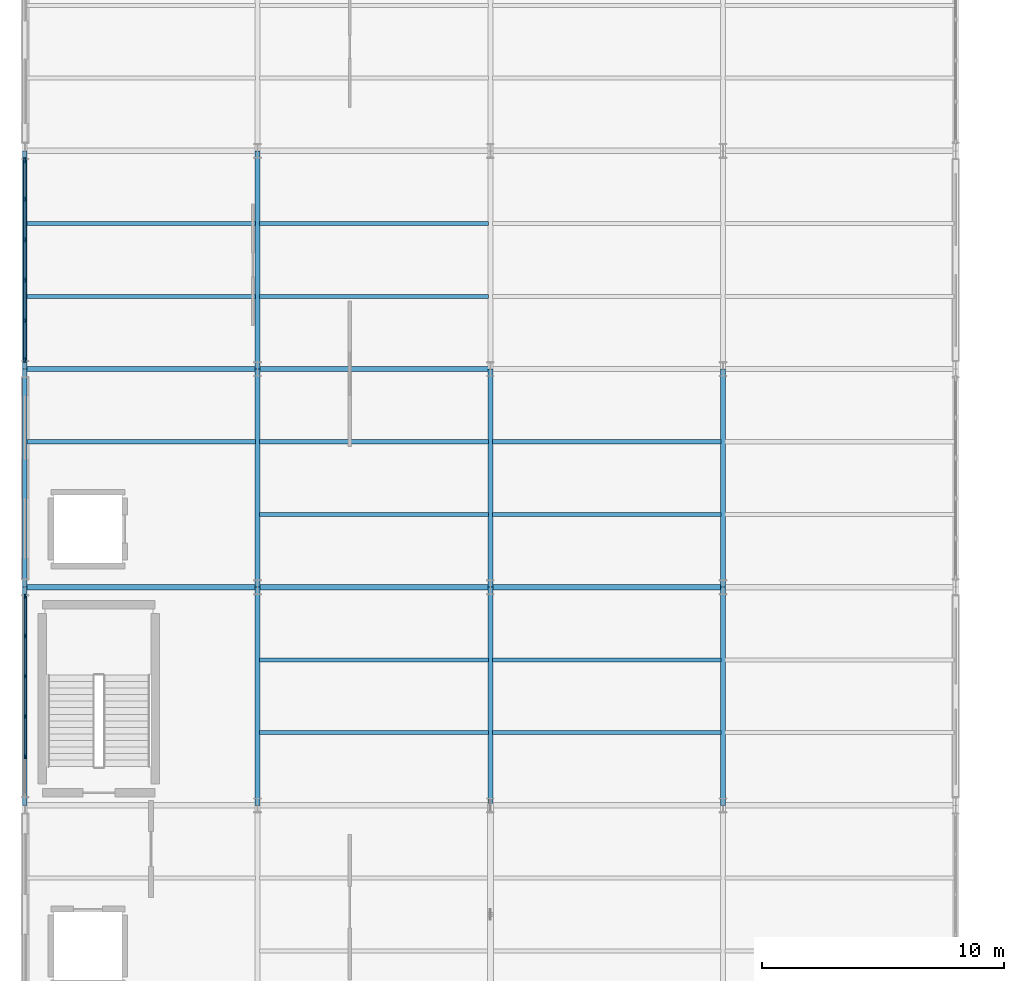
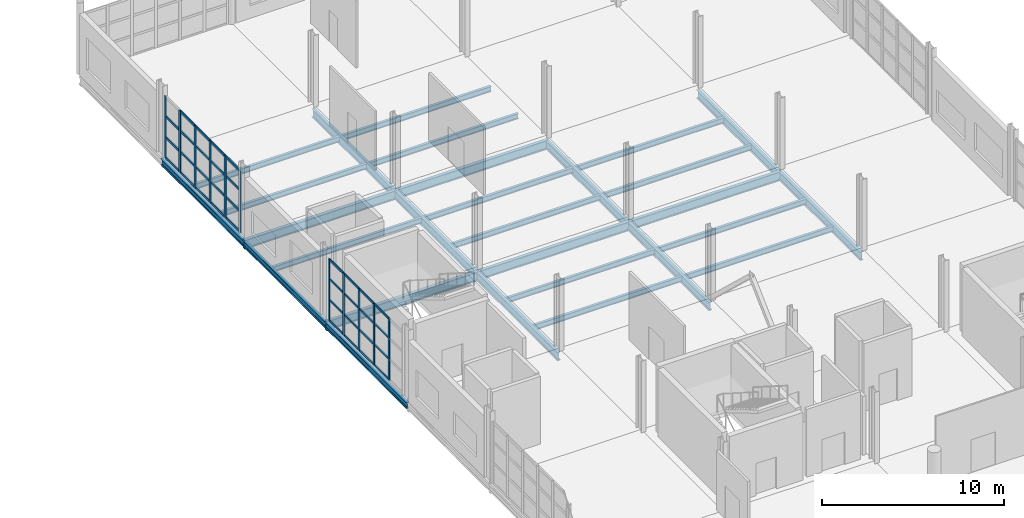
# One storey, part 22 of 120: 46 members, 28 beams, 2 elements without a shape of their own.
"""IFC4 building model written with IfcOpenShell, lengths in metres."""

from ifc_helpers import new_model, si_unit, direction, frame, origin, origin_2d, place, context, subcontext, project, spatial, rectangle, i_section, extrude, material, layer, layer_set, material_profile, profile_set, type_object, element, aggregate, save


model = new_model("IFC4")

# Units and contexts
model_context = context("Model", 3, precision=1e-05, world=origin(), true_north=direction((0.0, 1.0)))
body_context = subcontext(model_context, "Body", "Model", "MODEL_VIEW")
ifc_project = project(units=[si_unit("LENGTHUNIT", "METRE"), si_unit("AREAUNIT", "SQUARE_METRE"), si_unit("VOLUMEUNIT", "CUBIC_METRE"), si_unit("PLANEANGLEUNIT", "RADIAN"), si_unit("MASSUNIT", "GRAM", prefix="KILO")], contexts=[model_context])

# Site, building, storey
site_placement = place(None, origin())
site = spatial("IfcSite", under=ifc_project, at=site_placement, CompositionType="ELEMENT")
building_placement = place(site_placement, origin())
building = spatial("IfcBuilding", under=site, at=building_placement, Name="Zarnetskaya Central Station", CompositionType="ELEMENT")
storey_placement = place(building_placement, frame((0.0, 0.0, 5.39990234375)))
storey = spatial("IfcBuildingStorey", under=building, at=storey_placement, Name="L01", CompositionType="ELEMENT", Elevation=5.39990234375)

# Beams
ifc_material_1 = material(Name="Steel S355", Category="steel")
ifc_material_profile_1 = material_profile(ifc_material_1, i_section(OverallWidth=0.169921875, OverallDepth=0.360107421875, WebThickness=0.008056640625, FlangeThickness=0.0126953125, FilletRadius=0.01806640625, at=origin_2d()), Name="IPE 360")
ifc_profile_set_1 = profile_set([ifc_material_profile_1], Name="Steel S355")
beam_type_1 = type_object("IfcBeamType", Name="BM-SEC-360", PredefinedType="BEAM", material=ifc_profile_set_1)
for number, where, z_axis, x_axis, name in (
    (1, (0.080078125, 46.199951171875, -0.4599609375), (1.0, 0.0, 0.0), (0.0, 1.0, 0.0), "Secondary floor beam SEC-L01-Z512-AB-67-2"),
    (2, (0.080078125, 52.199951171875, -0.4599609375), (1.0, 0.0, 0.0), (0.0, 1.0, 0.0), "Secondary floor beam SEC-L01-Z512-AB-78-1"),
    (3, (0.080078125, 55.199951171875, -0.4599609375), (1.0, 0.0, 0.0), (0.0, 1.0, 0.0), "Secondary floor beam SEC-L01-Z512-AB-78-2"),
):
    element("IfcBeam", number, at=place(storey_placement, frame(where, z_axis=z_axis, x_axis=x_axis)), inside=storey, type_object=beam_type_1, Name=name, PredefinedType="BEAM", context=body_context, shape_type="SweptSolid", body=[
        extrude(i_section(OverallWidth=0.169921875, OverallDepth=0.360107421875, WebThickness=0.008056640625, FlangeThickness=0.0126953125, FilletRadius=0.01806640625, at=origin_2d()), origin(), (0.0, 0.0, 1.0), 9.43994140625),
    ])
for number, where, z_axis, x_axis, name in (
    (4, (9.679931640625, 34.199951171875, -0.4599609375), (1.0, 0.0, 0.0), (0.0, 1.0, 0.0), "Secondary floor beam SEC-L01-Z512-BC-56-1"),
    (5, (9.679931640625, 37.199951171875, -0.4599609375), (1.0, 0.0, 0.0), (0.0, 1.0, 0.0), "Secondary floor beam SEC-L01-Z512-BC-56-2"),
    (6, (9.679931640625, 43.199951171875, -0.4599609375), (1.0, 0.0, 0.0), (0.0, 1.0, 0.0), "Secondary floor beam SEC-L01-Z512-BC-67-1"),
    (7, (9.679931640625, 46.199951171875, -0.4599609375), (1.0, 0.0, 0.0), (0.0, 1.0, 0.0), "Secondary floor beam SEC-L01-Z512-BC-67-2"),
    (8, (9.679931640625, 52.199951171875, -0.4599609375), (1.0, 0.0, 0.0), (0.0, 1.0, 0.0), "Secondary floor beam SEC-L01-Z512-BC-78-1"),
    (9, (9.679931640625, 55.199951171875, -0.4599609375), (1.0, 0.0, 0.0), (0.0, 1.0, 0.0), "Secondary floor beam SEC-L01-Z512-BC-78-2"),
):
    element("IfcBeam", number, at=place(storey_placement, frame(where, z_axis=z_axis, x_axis=x_axis)), inside=storey, type_object=beam_type_1, Name=name, PredefinedType="BEAM", context=body_context, shape_type="SweptSolid", body=[
        extrude(i_section(OverallWidth=0.169921875, OverallDepth=0.360107421875, WebThickness=0.008056640625, FlangeThickness=0.0126953125, FilletRadius=0.01806640625, at=origin_2d()), origin(), (0.0, 0.0, 1.0), 9.440185546875),
    ])
for number, where, z_axis, x_axis, name in (
    (10, (19.280029296875, 34.199951171875, -0.4599609375), (1.0, 0.0, 0.0), (0.0, 1.0, 0.0), "Secondary floor beam SEC-L01-Z512-CD-56-1"),
    (11, (19.280029296875, 37.199951171875, -0.4599609375), (1.0, 0.0, 0.0), (0.0, 1.0, 0.0), "Secondary floor beam SEC-L01-Z512-CD-56-2"),
    (12, (19.280029296875, 43.199951171875, -0.4599609375), (1.0, 0.0, 0.0), (0.0, 1.0, 0.0), "Secondary floor beam SEC-L01-Z512-CD-67-1"),
    (13, (19.280029296875, 46.199951171875, -0.4599609375), (1.0, 0.0, 0.0), (0.0, 1.0, 0.0), "Secondary floor beam SEC-L01-Z512-CD-67-2"),
):
    element("IfcBeam", number, at=place(storey_placement, frame(where, z_axis=z_axis, x_axis=x_axis)), inside=storey, type_object=beam_type_1, Name=name, PredefinedType="BEAM", context=body_context, shape_type="SweptSolid", body=[
        extrude(i_section(OverallWidth=0.169921875, OverallDepth=0.360107421875, WebThickness=0.008056640625, FlangeThickness=0.0126953125, FilletRadius=0.01806640625, at=origin_2d()), origin(), (0.0, 0.0, 1.0), 9.43994140625),
    ])
ifc_material_profile_2 = material_profile(ifc_material_1, i_section(OverallWidth=0.179931640625, OverallDepth=0.39990234375, WebThickness=0.008544921875, FlangeThickness=0.013427734375, FilletRadius=0.02099609375, at=origin_2d()), Name="IPE 400")
ifc_profile_set_2 = profile_set([ifc_material_profile_2], Name="Steel S355")
beam_type_2 = type_object("IfcBeamType", Name="BM-SPN-V5", PredefinedType="SPANDREL", material=ifc_profile_set_2)
for number, where, z_axis, x_axis, name in (
    (14, (0.0, 31.199951171875, -0.47998046875), (0.0, 1.0, 0.0), (-1.0, 0.0, 0.0), "Grid girder GY-L01-A-56"),
    (15, (0.0, 40.199951171875, -0.47998046875), (0.0, 1.0, 0.0), (-1.0, 0.0, 0.0), "Grid girder GY-L01-A-67"),
    (16, (0.0, 49.199951171875, -0.47998046875), (0.0, 1.0, 0.0), (-1.0, 0.0, 0.0), "Grid girder GY-L01-A-78"),
):
    element("IfcBeam", number, at=place(storey_placement, frame(where, z_axis=z_axis, x_axis=x_axis)), inside=storey, type_object=beam_type_2, Name=name, PredefinedType="SPANDREL", context=body_context, shape_type="SweptSolid", body=[
        extrude(i_section(OverallWidth=0.179931640625, OverallDepth=0.39990234375, WebThickness=0.008544921875, FlangeThickness=0.013427734375, FilletRadius=0.02099609375, at=origin_2d()), origin(), (0.0, 0.0, 1.0), 9.0),
    ])

# Curtain wall, members
ifc_material_2 = material(Name="Low-E insulated glass", Category="glass")
ifc_layer_1 = layer(ifc_material_2, 0.1640625, Name="Low-E insulated glass", Category="glass")
ifc_layer_set_1 = layer_set([ifc_layer_1], Name="Low-E insulated glass")
curtain_wall_type_1 = type_object("IfcCurtainWallType", Name="CW-SYS-07", PredefinedType="USERDEFINED", material=ifc_layer_set_1)
curtain_wall_1_placement = place(storey_placement, origin())
curtain_wall_1 = element("IfcCurtainWall", 17, at=curtain_wall_1_placement, inside=storey, type_object=curtain_wall_type_1, Name="Curtain wall CW-L01-003", ObjectType="CURTAIN WALL", PredefinedType="USERDEFINED")
ifc_material_3 = material(Name="Anodised aluminium", Category="aluminium")
ifc_material_profile_3 = material_profile(ifc_material_3, rectangle(XDim=0.070068359375, YDim=0.179931640625, at=origin_2d()), Name="ALU MULL 70x180")
ifc_profile_set_3 = profile_set([ifc_material_profile_3], Name="Anodised aluminium")
member_type_1 = type_object("IfcMemberType", Name="CW-MULL-180", PredefinedType="MULLION", material=ifc_profile_set_3)
member_1_placement = place(storey_placement, frame((0.0, 33.2099609375, 0.0), z_axis=(0.0, 0.0, 1.0), x_axis=(-1.0, 0.0, 0.0)))
member_1 = element("IfcMember", 18, at=member_1_placement, type_object=member_type_1, Name="CW-06 mullion 2", PredefinedType="MULLION", context=body_context, shape_type="SweptSolid", body=[
    extrude(rectangle(XDim=0.070068359375, YDim=0.179931640625, at=origin_2d()), origin(), (0.0, 0.0, 1.0), 4.14013671875),
])
member_2_placement = place(storey_placement, frame((0.0, 34.8701171875, 0.0), z_axis=(0.0, 0.0, 1.0), x_axis=(-1.0, 0.0, 0.0)))
member_2 = element("IfcMember", 19, at=member_2_placement, type_object=member_type_1, Name="CW-06 mullion 3", PredefinedType="MULLION", context=body_context, shape_type="SweptSolid", body=[
    extrude(rectangle(XDim=0.070068359375, YDim=0.179931640625, at=origin_2d()), origin(), (0.0, 0.0, 1.0), 4.14013671875),
])
member_3_placement = place(storey_placement, frame((0.0, 36.530029296875, 0.0), z_axis=(0.0, 0.0, 1.0), x_axis=(-1.0, 0.0, 0.0)))
member_3 = element("IfcMember", 20, at=member_3_placement, type_object=member_type_1, Name="CW-06 mullion 4", PredefinedType="MULLION", context=body_context, shape_type="SweptSolid", body=[
    extrude(rectangle(XDim=0.070068359375, YDim=0.179931640625, at=origin_2d()), origin(), (0.0, 0.0, 1.0), 4.14013671875),
])
member_4_placement = place(storey_placement, frame((0.0, 38.18994140625, 0.0), z_axis=(0.0, 0.0, 1.0), x_axis=(-1.0, 0.0, 0.0)))
member_4 = element("IfcMember", 21, at=member_4_placement, type_object=member_type_1, Name="CW-06 mullion 5", PredefinedType="MULLION", context=body_context, shape_type="SweptSolid", body=[
    extrude(rectangle(XDim=0.070068359375, YDim=0.179931640625, at=origin_2d()), origin(), (0.0, 0.0, 1.0), 4.14013671875),
])
member_5_placement = place(storey_placement, frame((0.0, 39.81494140625, 0.0), z_axis=(0.0, 0.0, 1.0), x_axis=(-1.0, 0.0, 0.0)))
member_5 = element("IfcMember", 22, at=member_5_placement, type_object=member_type_1, Name="CW-06 mullion 6", PredefinedType="MULLION", context=body_context, shape_type="SweptSolid", body=[
    extrude(rectangle(XDim=0.070068359375, YDim=0.179931640625, at=origin_2d()), origin(), (0.0, 0.0, 1.0), 4.14013671875),
])

ifc_layer_2 = layer(ifc_material_2, 0.172119140625, Name="Low-E insulated glass", Category="glass")
ifc_layer_set_2 = layer_set([ifc_layer_2], Name="Low-E insulated glass")
curtain_wall_type_2 = type_object("IfcCurtainWallType", Name="CW-SYS-09", PredefinedType="USERDEFINED", material=ifc_layer_set_2)
curtain_wall_2_placement = place(storey_placement, origin())
curtain_wall_2 = element("IfcCurtainWall", 23, at=curtain_wall_2_placement, inside=storey, type_object=curtain_wall_type_2, Name="Curtain wall CW-L01-004", ObjectType="CURTAIN WALL", PredefinedType="USERDEFINED")
ifc_material_profile_4 = material_profile(ifc_material_3, rectangle(XDim=0.080078125, YDim=0.219970703125, at=origin_2d()), Name="ALU MULL 80x220")
ifc_profile_set_4 = profile_set([ifc_material_profile_4], Name="Anodised aluminium")
member_type_2 = type_object("IfcMemberType", Name="CW-MULL-220", PredefinedType="MULLION", material=ifc_profile_set_4)
member_6_placement = place(storey_placement, frame((0.0, 49.590087890625, 0.0), z_axis=(0.0, 0.0, 1.0), x_axis=(-1.0, 0.0, 0.0)))
member_6 = element("IfcMember", 24, at=member_6_placement, type_object=member_type_2, Name="CW-07 mullion 1", PredefinedType="MULLION", context=body_context, shape_type="SweptSolid", body=[
    extrude(rectangle(XDim=0.080078125, YDim=0.219970703125, at=origin_2d()), origin(), (0.0, 0.0, 1.0), 4.14013671875),
])
member_7_placement = place(storey_placement, frame((0.0, 51.2099609375, 0.0), z_axis=(0.0, 0.0, 1.0), x_axis=(-1.0, 0.0, 0.0)))
member_7 = element("IfcMember", 25, at=member_7_placement, type_object=member_type_2, Name="CW-07 mullion 2", PredefinedType="MULLION", context=body_context, shape_type="SweptSolid", body=[
    extrude(rectangle(XDim=0.080078125, YDim=0.219970703125, at=origin_2d()), origin(), (0.0, 0.0, 1.0), 4.14013671875),
])
member_8_placement = place(storey_placement, frame((0.0, 52.8701171875, 0.0), z_axis=(0.0, 0.0, 1.0), x_axis=(-1.0, 0.0, 0.0)))
member_8 = element("IfcMember", 26, at=member_8_placement, type_object=member_type_2, Name="CW-07 mullion 3", PredefinedType="MULLION", context=body_context, shape_type="SweptSolid", body=[
    extrude(rectangle(XDim=0.080078125, YDim=0.219970703125, at=origin_2d()), origin(), (0.0, 0.0, 1.0), 4.14013671875),
])
member_9_placement = place(storey_placement, frame((0.0, 54.530029296875, 0.0), z_axis=(0.0, 0.0, 1.0), x_axis=(-1.0, 0.0, 0.0)))
member_9 = element("IfcMember", 27, at=member_9_placement, type_object=member_type_2, Name="CW-07 mullion 4", PredefinedType="MULLION", context=body_context, shape_type="SweptSolid", body=[
    extrude(rectangle(XDim=0.080078125, YDim=0.219970703125, at=origin_2d()), origin(), (0.0, 0.0, 1.0), 4.14013671875),
])
member_10_placement = place(storey_placement, frame((0.0, 56.18994140625, 0.0), z_axis=(0.0, 0.0, 1.0), x_axis=(-1.0, 0.0, 0.0)))
member_10 = element("IfcMember", 28, at=member_10_placement, type_object=member_type_2, Name="CW-07 mullion 5", PredefinedType="MULLION", context=body_context, shape_type="SweptSolid", body=[
    extrude(rectangle(XDim=0.080078125, YDim=0.219970703125, at=origin_2d()), origin(), (0.0, 0.0, 1.0), 4.14013671875),
])
member_11_placement = place(storey_placement, frame((0.0, 57.81005859375, 0.0), z_axis=(0.0, 0.0, 1.0), x_axis=(-1.0, 0.0, 0.0)))
member_11 = element("IfcMember", 29, at=member_11_placement, type_object=member_type_2, Name="CW-07 mullion 6", PredefinedType="MULLION", context=body_context, shape_type="SweptSolid", body=[
    extrude(rectangle(XDim=0.080078125, YDim=0.219970703125, at=origin_2d()), origin(), (0.0, 0.0, 1.0), 4.14013671875),
])

# Member
ifc_material_profile_5 = material_profile(ifc_material_3, rectangle(XDim=0.070068359375, YDim=0.139892578125, at=origin_2d()), Name="ALU TRAN 70x140")
ifc_profile_set_5 = profile_set([ifc_material_profile_5], Name="Anodised aluminium")
member_type_3 = type_object("IfcMemberType", Name="CW-TRAN-140", PredefinedType="USERDEFINED", material=ifc_profile_set_5)
member_12_placement = place(storey_placement, frame((0.0, 33.2451171875, 0.03515625), z_axis=(0.0, 1.0, 0.0), x_axis=(-1.0, 0.0, 0.0)))
member_12 = element("IfcMember", 30, at=member_12_placement, type_object=member_type_3, Name="CW-06 transom 2.1", ObjectType="TRANSOM", PredefinedType="USERDEFINED", context=body_context, shape_type="SweptSolid", body=[
    extrude(rectangle(XDim=0.070068359375, YDim=0.139892578125, at=origin_2d()), origin(), (0.0, 0.0, 1.0), 1.58984375),
])

member_13_placement = place(storey_placement, frame((0.0, 33.2451171875, 1.408203125), z_axis=(0.0, 1.0, 0.0), x_axis=(-1.0, 0.0, 0.0)))
member_13 = element("IfcMember", 31, at=member_13_placement, type_object=member_type_3, Name="CW-06 transom 2.2", ObjectType="TRANSOM", PredefinedType="USERDEFINED", context=body_context, shape_type="SweptSolid", body=[
    extrude(rectangle(XDim=0.070068359375, YDim=0.139892578125, at=origin_2d()), origin(), (0.0, 0.0, 1.0), 1.58984375),
])

member_14_placement = place(storey_placement, frame((0.0, 33.2451171875, 2.815185546875), z_axis=(0.0, 1.0, 0.0), x_axis=(-1.0, 0.0, 0.0)))
member_14 = element("IfcMember", 32, at=member_14_placement, type_object=member_type_3, Name="CW-06 transom 2.3", ObjectType="TRANSOM", PredefinedType="USERDEFINED", context=body_context, shape_type="SweptSolid", body=[
    extrude(rectangle(XDim=0.070068359375, YDim=0.139892578125, at=origin_2d()), origin(), (0.0, 0.0, 1.0), 1.58984375),
])

member_15_placement = place(storey_placement, frame((0.0, 33.2451171875, 4.10498046875), z_axis=(0.0, 1.0, 0.0), x_axis=(-1.0, 0.0, 0.0)))
member_15 = element("IfcMember", 33, at=member_15_placement, type_object=member_type_3, Name="CW-06 transom 2.4", ObjectType="TRANSOM", PredefinedType="USERDEFINED", context=body_context, shape_type="SweptSolid", body=[
    extrude(rectangle(XDim=0.070068359375, YDim=0.139892578125, at=origin_2d()), origin(), (0.0, 0.0, 1.0), 1.58984375),
])

member_16_placement = place(storey_placement, frame((0.0, 34.905029296875, 0.03515625), z_axis=(0.0, 1.0, 0.0), x_axis=(-1.0, 0.0, 0.0)))
member_16 = element("IfcMember", 34, at=member_16_placement, type_object=member_type_3, Name="CW-06 transom 3.1", ObjectType="TRANSOM", PredefinedType="USERDEFINED", context=body_context, shape_type="SweptSolid", body=[
    extrude(rectangle(XDim=0.070068359375, YDim=0.139892578125, at=origin_2d()), origin(), (0.0, 0.0, 1.0), 1.590087890625),
])

member_17_placement = place(storey_placement, frame((0.0, 34.905029296875, 1.408203125), z_axis=(0.0, 1.0, 0.0), x_axis=(-1.0, 0.0, 0.0)))
member_17 = element("IfcMember", 35, at=member_17_placement, type_object=member_type_3, Name="CW-06 transom 3.2", ObjectType="TRANSOM", PredefinedType="USERDEFINED", context=body_context, shape_type="SweptSolid", body=[
    extrude(rectangle(XDim=0.070068359375, YDim=0.139892578125, at=origin_2d()), origin(), (0.0, 0.0, 1.0), 1.590087890625),
])

member_18_placement = place(storey_placement, frame((0.0, 34.905029296875, 2.815185546875), z_axis=(0.0, 1.0, 0.0), x_axis=(-1.0, 0.0, 0.0)))
member_18 = element("IfcMember", 36, at=member_18_placement, type_object=member_type_3, Name="CW-06 transom 3.3", ObjectType="TRANSOM", PredefinedType="USERDEFINED", context=body_context, shape_type="SweptSolid", body=[
    extrude(rectangle(XDim=0.070068359375, YDim=0.139892578125, at=origin_2d()), origin(), (0.0, 0.0, 1.0), 1.590087890625),
])

member_19_placement = place(storey_placement, frame((0.0, 34.905029296875, 4.10498046875), z_axis=(0.0, 1.0, 0.0), x_axis=(-1.0, 0.0, 0.0)))
member_19 = element("IfcMember", 37, at=member_19_placement, type_object=member_type_3, Name="CW-06 transom 3.4", ObjectType="TRANSOM", PredefinedType="USERDEFINED", context=body_context, shape_type="SweptSolid", body=[
    extrude(rectangle(XDim=0.070068359375, YDim=0.139892578125, at=origin_2d()), origin(), (0.0, 0.0, 1.0), 1.590087890625),
])

member_20_placement = place(storey_placement, frame((0.0, 36.56494140625, 0.03515625), z_axis=(0.0, 1.0, 0.0), x_axis=(-1.0, 0.0, 0.0)))
member_20 = element("IfcMember", 38, at=member_20_placement, type_object=member_type_3, Name="CW-06 transom 4.1", ObjectType="TRANSOM", PredefinedType="USERDEFINED", context=body_context, shape_type="SweptSolid", body=[
    extrude(rectangle(XDim=0.070068359375, YDim=0.139892578125, at=origin_2d()), origin(), (0.0, 0.0, 1.0), 1.590087890625),
])

member_21_placement = place(storey_placement, frame((0.0, 36.56494140625, 1.408203125), z_axis=(0.0, 1.0, 0.0), x_axis=(-1.0, 0.0, 0.0)))
member_21 = element("IfcMember", 39, at=member_21_placement, type_object=member_type_3, Name="CW-06 transom 4.2", ObjectType="TRANSOM", PredefinedType="USERDEFINED", context=body_context, shape_type="SweptSolid", body=[
    extrude(rectangle(XDim=0.070068359375, YDim=0.139892578125, at=origin_2d()), origin(), (0.0, 0.0, 1.0), 1.590087890625),
])

member_22_placement = place(storey_placement, frame((0.0, 36.56494140625, 2.815185546875), z_axis=(0.0, 1.0, 0.0), x_axis=(-1.0, 0.0, 0.0)))
member_22 = element("IfcMember", 40, at=member_22_placement, type_object=member_type_3, Name="CW-06 transom 4.3", ObjectType="TRANSOM", PredefinedType="USERDEFINED", context=body_context, shape_type="SweptSolid", body=[
    extrude(rectangle(XDim=0.070068359375, YDim=0.139892578125, at=origin_2d()), origin(), (0.0, 0.0, 1.0), 1.590087890625),
])

member_23_placement = place(storey_placement, frame((0.0, 36.56494140625, 4.10498046875), z_axis=(0.0, 1.0, 0.0), x_axis=(-1.0, 0.0, 0.0)))
member_23 = element("IfcMember", 41, at=member_23_placement, type_object=member_type_3, Name="CW-06 transom 4.4", ObjectType="TRANSOM", PredefinedType="USERDEFINED", context=body_context, shape_type="SweptSolid", body=[
    extrude(rectangle(XDim=0.070068359375, YDim=0.139892578125, at=origin_2d()), origin(), (0.0, 0.0, 1.0), 1.590087890625),
])

member_24_placement = place(storey_placement, frame((0.0, 38.22509765625, 0.03515625), z_axis=(0.0, 1.0, 0.0), x_axis=(-1.0, 0.0, 0.0)))
member_24 = element("IfcMember", 42, at=member_24_placement, type_object=member_type_3, Name="CW-06 transom 5.1", ObjectType="TRANSOM", PredefinedType="USERDEFINED", context=body_context, shape_type="SweptSolid", body=[
    extrude(rectangle(XDim=0.070068359375, YDim=0.139892578125, at=origin_2d()), origin(), (0.0, 0.0, 1.0), 1.554931640625),
])

member_25_placement = place(storey_placement, frame((0.0, 38.22509765625, 1.408203125), z_axis=(0.0, 1.0, 0.0), x_axis=(-1.0, 0.0, 0.0)))
member_25 = element("IfcMember", 43, at=member_25_placement, type_object=member_type_3, Name="CW-06 transom 5.2", ObjectType="TRANSOM", PredefinedType="USERDEFINED", context=body_context, shape_type="SweptSolid", body=[
    extrude(rectangle(XDim=0.070068359375, YDim=0.139892578125, at=origin_2d()), origin(), (0.0, 0.0, 1.0), 1.554931640625),
])

member_26_placement = place(storey_placement, frame((0.0, 38.22509765625, 2.815185546875), z_axis=(0.0, 1.0, 0.0), x_axis=(-1.0, 0.0, 0.0)))
member_26 = element("IfcMember", 44, at=member_26_placement, type_object=member_type_3, Name="CW-06 transom 5.3", ObjectType="TRANSOM", PredefinedType="USERDEFINED", context=body_context, shape_type="SweptSolid", body=[
    extrude(rectangle(XDim=0.070068359375, YDim=0.139892578125, at=origin_2d()), origin(), (0.0, 0.0, 1.0), 1.554931640625),
])

member_27_placement = place(storey_placement, frame((0.0, 38.22509765625, 4.10498046875), z_axis=(0.0, 1.0, 0.0), x_axis=(-1.0, 0.0, 0.0)))
member_27 = element("IfcMember", 45, at=member_27_placement, type_object=member_type_3, Name="CW-06 transom 5.4", ObjectType="TRANSOM", PredefinedType="USERDEFINED", context=body_context, shape_type="SweptSolid", body=[
    extrude(rectangle(XDim=0.070068359375, YDim=0.139892578125, at=origin_2d()), origin(), (0.0, 0.0, 1.0), 1.554931640625),
])

aggregate(curtain_wall_1, [member_1, member_2, member_3, member_4, member_5, member_12, member_13, member_14, member_15, member_16, member_17, member_18, member_19, member_20, member_21, member_22, member_23, member_24, member_25, member_26, member_27])

ifc_material_profile_6 = material_profile(ifc_material_3, rectangle(XDim=0.080078125, YDim=0.159912109375, at=origin_2d()), Name="ALU TRAN 80x160")
ifc_profile_set_6 = profile_set([ifc_material_profile_6], Name="Anodised aluminium")
member_type_4 = type_object("IfcMemberType", Name="CW-TRAN-160", PredefinedType="USERDEFINED", material=ifc_profile_set_6)
member_28_placement = place(storey_placement, frame((0.0, 49.6298828125, 0.0400390625), z_axis=(0.0, 1.0, 0.0), x_axis=(-1.0, 0.0, 0.0)))
member_28 = element("IfcMember", 46, at=member_28_placement, type_object=member_type_4, Name="CW-07 transom 1.1", ObjectType="TRANSOM", PredefinedType="USERDEFINED", context=body_context, shape_type="SweptSolid", body=[
    extrude(rectangle(XDim=0.080078125, YDim=0.159912109375, at=origin_2d()), origin(), (0.0, 0.0, 1.0), 1.5400390625),
])

member_29_placement = place(storey_placement, frame((0.0, 49.6298828125, 1.408203125), z_axis=(0.0, 1.0, 0.0), x_axis=(-1.0, 0.0, 0.0)))
member_29 = element("IfcMember", 47, at=member_29_placement, type_object=member_type_4, Name="CW-07 transom 1.2", ObjectType="TRANSOM", PredefinedType="USERDEFINED", context=body_context, shape_type="SweptSolid", body=[
    extrude(rectangle(XDim=0.080078125, YDim=0.159912109375, at=origin_2d()), origin(), (0.0, 0.0, 1.0), 1.5400390625),
])

member_30_placement = place(storey_placement, frame((0.0, 49.6298828125, 2.815185546875), z_axis=(0.0, 1.0, 0.0), x_axis=(-1.0, 0.0, 0.0)))
member_30 = element("IfcMember", 48, at=member_30_placement, type_object=member_type_4, Name="CW-07 transom 1.3", ObjectType="TRANSOM", PredefinedType="USERDEFINED", context=body_context, shape_type="SweptSolid", body=[
    extrude(rectangle(XDim=0.080078125, YDim=0.159912109375, at=origin_2d()), origin(), (0.0, 0.0, 1.0), 1.5400390625),
])

member_31_placement = place(storey_placement, frame((0.0, 49.6298828125, 4.10009765625), z_axis=(0.0, 1.0, 0.0), x_axis=(-1.0, 0.0, 0.0)))
member_31 = element("IfcMember", 49, at=member_31_placement, type_object=member_type_4, Name="CW-07 transom 1.4", ObjectType="TRANSOM", PredefinedType="USERDEFINED", context=body_context, shape_type="SweptSolid", body=[
    extrude(rectangle(XDim=0.080078125, YDim=0.159912109375, at=origin_2d()), origin(), (0.0, 0.0, 1.0), 1.5400390625),
])

member_32_placement = place(storey_placement, frame((0.0, 51.25, 0.0400390625), z_axis=(0.0, 1.0, 0.0), x_axis=(-1.0, 0.0, 0.0)))
member_32 = element("IfcMember", 50, at=member_32_placement, type_object=member_type_4, Name="CW-07 transom 2.1", ObjectType="TRANSOM", PredefinedType="USERDEFINED", context=body_context, shape_type="SweptSolid", body=[
    extrude(rectangle(XDim=0.080078125, YDim=0.159912109375, at=origin_2d()), origin(), (0.0, 0.0, 1.0), 1.580078125),
])

member_33_placement = place(storey_placement, frame((0.0, 51.25, 1.408203125), z_axis=(0.0, 1.0, 0.0), x_axis=(-1.0, 0.0, 0.0)))
member_33 = element("IfcMember", 51, at=member_33_placement, type_object=member_type_4, Name="CW-07 transom 2.2", ObjectType="TRANSOM", PredefinedType="USERDEFINED", context=body_context, shape_type="SweptSolid", body=[
    extrude(rectangle(XDim=0.080078125, YDim=0.159912109375, at=origin_2d()), origin(), (0.0, 0.0, 1.0), 1.580078125),
])

member_34_placement = place(storey_placement, frame((0.0, 51.25, 2.815185546875), z_axis=(0.0, 1.0, 0.0), x_axis=(-1.0, 0.0, 0.0)))
member_34 = element("IfcMember", 52, at=member_34_placement, type_object=member_type_4, Name="CW-07 transom 2.3", ObjectType="TRANSOM", PredefinedType="USERDEFINED", context=body_context, shape_type="SweptSolid", body=[
    extrude(rectangle(XDim=0.080078125, YDim=0.159912109375, at=origin_2d()), origin(), (0.0, 0.0, 1.0), 1.580078125),
])

member_35_placement = place(storey_placement, frame((0.0, 51.25, 4.10009765625), z_axis=(0.0, 1.0, 0.0), x_axis=(-1.0, 0.0, 0.0)))
member_35 = element("IfcMember", 53, at=member_35_placement, type_object=member_type_4, Name="CW-07 transom 2.4", ObjectType="TRANSOM", PredefinedType="USERDEFINED", context=body_context, shape_type="SweptSolid", body=[
    extrude(rectangle(XDim=0.080078125, YDim=0.159912109375, at=origin_2d()), origin(), (0.0, 0.0, 1.0), 1.580078125),
])

member_36_placement = place(storey_placement, frame((0.0, 52.909912109375, 0.0400390625), z_axis=(0.0, 1.0, 0.0), x_axis=(-1.0, 0.0, 0.0)))
member_36 = element("IfcMember", 54, at=member_36_placement, type_object=member_type_4, Name="CW-07 transom 3.1", ObjectType="TRANSOM", PredefinedType="USERDEFINED", context=body_context, shape_type="SweptSolid", body=[
    extrude(rectangle(XDim=0.080078125, YDim=0.159912109375, at=origin_2d()), origin(), (0.0, 0.0, 1.0), 1.580078125),
])

member_37_placement = place(storey_placement, frame((0.0, 52.909912109375, 1.408203125), z_axis=(0.0, 1.0, 0.0), x_axis=(-1.0, 0.0, 0.0)))
member_37 = element("IfcMember", 55, at=member_37_placement, type_object=member_type_4, Name="CW-07 transom 3.2", ObjectType="TRANSOM", PredefinedType="USERDEFINED", context=body_context, shape_type="SweptSolid", body=[
    extrude(rectangle(XDim=0.080078125, YDim=0.159912109375, at=origin_2d()), origin(), (0.0, 0.0, 1.0), 1.580078125),
])

member_38_placement = place(storey_placement, frame((0.0, 52.909912109375, 2.815185546875), z_axis=(0.0, 1.0, 0.0), x_axis=(-1.0, 0.0, 0.0)))
member_38 = element("IfcMember", 56, at=member_38_placement, type_object=member_type_4, Name="CW-07 transom 3.3", ObjectType="TRANSOM", PredefinedType="USERDEFINED", context=body_context, shape_type="SweptSolid", body=[
    extrude(rectangle(XDim=0.080078125, YDim=0.159912109375, at=origin_2d()), origin(), (0.0, 0.0, 1.0), 1.580078125),
])

member_39_placement = place(storey_placement, frame((0.0, 52.909912109375, 4.10009765625), z_axis=(0.0, 1.0, 0.0), x_axis=(-1.0, 0.0, 0.0)))
member_39 = element("IfcMember", 57, at=member_39_placement, type_object=member_type_4, Name="CW-07 transom 3.4", ObjectType="TRANSOM", PredefinedType="USERDEFINED", context=body_context, shape_type="SweptSolid", body=[
    extrude(rectangle(XDim=0.080078125, YDim=0.159912109375, at=origin_2d()), origin(), (0.0, 0.0, 1.0), 1.580078125),
])

member_40_placement = place(storey_placement, frame((0.0, 54.570068359375, 0.0400390625), z_axis=(0.0, 1.0, 0.0), x_axis=(-1.0, 0.0, 0.0)))
member_40 = element("IfcMember", 58, at=member_40_placement, type_object=member_type_4, Name="CW-07 transom 4.1", ObjectType="TRANSOM", PredefinedType="USERDEFINED", context=body_context, shape_type="SweptSolid", body=[
    extrude(rectangle(XDim=0.080078125, YDim=0.159912109375, at=origin_2d()), origin(), (0.0, 0.0, 1.0), 1.579833984375),
])

member_41_placement = place(storey_placement, frame((0.0, 54.570068359375, 1.408203125), z_axis=(0.0, 1.0, 0.0), x_axis=(-1.0, 0.0, 0.0)))
member_41 = element("IfcMember", 59, at=member_41_placement, type_object=member_type_4, Name="CW-07 transom 4.2", ObjectType="TRANSOM", PredefinedType="USERDEFINED", context=body_context, shape_type="SweptSolid", body=[
    extrude(rectangle(XDim=0.080078125, YDim=0.159912109375, at=origin_2d()), origin(), (0.0, 0.0, 1.0), 1.579833984375),
])

member_42_placement = place(storey_placement, frame((0.0, 54.570068359375, 2.815185546875), z_axis=(0.0, 1.0, 0.0), x_axis=(-1.0, 0.0, 0.0)))
member_42 = element("IfcMember", 60, at=member_42_placement, type_object=member_type_4, Name="CW-07 transom 4.3", ObjectType="TRANSOM", PredefinedType="USERDEFINED", context=body_context, shape_type="SweptSolid", body=[
    extrude(rectangle(XDim=0.080078125, YDim=0.159912109375, at=origin_2d()), origin(), (0.0, 0.0, 1.0), 1.579833984375),
])

member_43_placement = place(storey_placement, frame((0.0, 54.570068359375, 4.10009765625), z_axis=(0.0, 1.0, 0.0), x_axis=(-1.0, 0.0, 0.0)))
member_43 = element("IfcMember", 61, at=member_43_placement, type_object=member_type_4, Name="CW-07 transom 4.4", ObjectType="TRANSOM", PredefinedType="USERDEFINED", context=body_context, shape_type="SweptSolid", body=[
    extrude(rectangle(XDim=0.080078125, YDim=0.159912109375, at=origin_2d()), origin(), (0.0, 0.0, 1.0), 1.579833984375),
])

member_44_placement = place(storey_placement, frame((0.0, 56.22998046875, 0.0400390625), z_axis=(0.0, 1.0, 0.0), x_axis=(-1.0, 0.0, 0.0)))
member_44 = element("IfcMember", 62, at=member_44_placement, type_object=member_type_4, Name="CW-07 transom 5.1", ObjectType="TRANSOM", PredefinedType="USERDEFINED", context=body_context, shape_type="SweptSolid", body=[
    extrude(rectangle(XDim=0.080078125, YDim=0.159912109375, at=origin_2d()), origin(), (0.0, 0.0, 1.0), 1.5400390625),
])

member_45_placement = place(storey_placement, frame((0.0, 56.22998046875, 1.408203125), z_axis=(0.0, 1.0, 0.0), x_axis=(-1.0, 0.0, 0.0)))
member_45 = element("IfcMember", 63, at=member_45_placement, type_object=member_type_4, Name="CW-07 transom 5.2", ObjectType="TRANSOM", PredefinedType="USERDEFINED", context=body_context, shape_type="SweptSolid", body=[
    extrude(rectangle(XDim=0.080078125, YDim=0.159912109375, at=origin_2d()), origin(), (0.0, 0.0, 1.0), 1.5400390625),
])

member_46_placement = place(storey_placement, frame((0.0, 56.22998046875, 2.815185546875), z_axis=(0.0, 1.0, 0.0), x_axis=(-1.0, 0.0, 0.0)))
member_46 = element("IfcMember", 64, at=member_46_placement, type_object=member_type_4, Name="CW-07 transom 5.3", ObjectType="TRANSOM", PredefinedType="USERDEFINED", context=body_context, shape_type="SweptSolid", body=[
    extrude(rectangle(XDim=0.080078125, YDim=0.159912109375, at=origin_2d()), origin(), (0.0, 0.0, 1.0), 1.5400390625),
])

aggregate(curtain_wall_2, [member_6, member_7, member_8, member_9, member_10, member_11, member_28, member_29, member_30, member_31, member_32, member_33, member_34, member_35, member_36, member_37, member_38, member_39, member_40, member_41, member_42, member_43, member_44, member_45, member_46])

# Beams
ifc_material_profile_7 = material_profile(ifc_material_1, i_section(OverallWidth=0.2099609375, OverallDepth=0.550048828125, WebThickness=0.010986328125, FlangeThickness=0.01708984375, FilletRadius=0.02392578125, at=origin_2d()), Name="IPE 550")
ifc_profile_set_7 = profile_set([ifc_material_profile_7], Name="Steel S355")
beam_type_3 = type_object("IfcBeamType", Name="GD-FLR-550", PredefinedType="USERDEFINED", material=ifc_profile_set_7)
for number, where, z_axis, x_axis, name in (
    (65, (9.60009765625, 31.199951171875, -0.554931640625), (0.0, 1.0, 0.0), (-1.0, 0.0, 0.0), "Grid girder GY-L01-B-56"),
    (66, (9.60009765625, 40.199951171875, -0.554931640625), (0.0, 1.0, 0.0), (-1.0, 0.0, 0.0), "Grid girder GY-L01-B-67"),
    (67, (9.60009765625, 49.199951171875, -0.554931640625), (0.0, 1.0, 0.0), (-1.0, 0.0, 0.0), "Grid girder GY-L01-B-78"),
    (68, (19.199951171875, 31.199951171875, -0.554931640625), (0.0, 1.0, 0.0), (-1.0, 0.0, 0.0), "Grid girder GY-L01-C-56"),
    (69, (19.199951171875, 40.199951171875, -0.554931640625), (0.0, 1.0, 0.0), (-1.0, 0.0, 0.0), "Grid girder GY-L01-C-67"),
    (70, (28.800048828125, 31.199951171875, -0.554931640625), (0.0, 1.0, 0.0), (-1.0, 0.0, 0.0), "Grid girder GY-L01-D-56"),
    (71, (28.800048828125, 40.199951171875, -0.554931640625), (0.0, 1.0, 0.0), (-1.0, 0.0, 0.0), "Grid girder GY-L01-D-67"),
):
    element("IfcBeam", number, at=place(storey_placement, frame(where, z_axis=z_axis, x_axis=x_axis)), inside=storey, type_object=beam_type_3, Name=name, ObjectType="GIRDER", PredefinedType="USERDEFINED", context=body_context, shape_type="SweptSolid", body=[
        extrude(i_section(OverallWidth=0.2099609375, OverallDepth=0.550048828125, WebThickness=0.010986328125, FlangeThickness=0.01708984375, FilletRadius=0.02392578125, at=origin_2d()), origin(), (0.0, 0.0, 1.0), 9.0),
    ])
ifc_material_profile_8 = material_profile(ifc_material_1, i_section(OverallWidth=0.219970703125, OverallDepth=0.60009765625, WebThickness=0.011962890625, FlangeThickness=0.01904296875, FilletRadius=0.02392578125, at=origin_2d()), Name="IPE 600")
ifc_profile_set_8 = profile_set([ifc_material_profile_8], Name="Steel S355")
beam_type_4 = type_object("IfcBeamType", Name="GD-FLR-600", PredefinedType="USERDEFINED", material=ifc_profile_set_8)
for number, where, z_axis, x_axis, name in (
    (72, (0.0, 40.199951171875, -0.579833984375), (1.0, 0.0, 0.0), (0.0, 1.0, 0.0), "Grid girder GX-L01-6-AB"),
    (73, (0.0, 49.199951171875, -0.579833984375), (1.0, 0.0, 0.0), (0.0, 1.0, 0.0), "Grid girder GX-L01-7-AB"),
):
    element("IfcBeam", number, at=place(storey_placement, frame(where, z_axis=z_axis, x_axis=x_axis)), inside=storey, type_object=beam_type_4, Name=name, ObjectType="GIRDER", PredefinedType="USERDEFINED", context=body_context, shape_type="SweptSolid", body=[
        extrude(i_section(OverallWidth=0.219970703125, OverallDepth=0.60009765625, WebThickness=0.011962890625, FlangeThickness=0.01904296875, FilletRadius=0.02392578125, at=origin_2d()), origin(), (0.0, 0.0, 1.0), 9.60009765625),
    ])
for number, where, z_axis, x_axis, name in (
    (74, (9.60009765625, 40.199951171875, -0.579833984375), (1.0, 0.0, 0.0), (0.0, 1.0, 0.0), "Grid girder GX-L01-6-BC"),
    (75, (9.60009765625, 49.199951171875, -0.579833984375), (1.0, 0.0, 0.0), (0.0, 1.0, 0.0), "Grid girder GX-L01-7-BC"),
):
    element("IfcBeam", number, at=place(storey_placement, frame(where, z_axis=z_axis, x_axis=x_axis)), inside=storey, type_object=beam_type_4, Name=name, ObjectType="GIRDER", PredefinedType="USERDEFINED", context=body_context, shape_type="SweptSolid", body=[
        extrude(i_section(OverallWidth=0.219970703125, OverallDepth=0.60009765625, WebThickness=0.011962890625, FlangeThickness=0.01904296875, FilletRadius=0.02392578125, at=origin_2d()), origin(), (0.0, 0.0, 1.0), 9.599853515625),
    ])
beam_placement = place(storey_placement, frame((19.199951171875, 40.199951171875, -0.579833984375), z_axis=(1.0, 0.0, 0.0), x_axis=(0.0, 1.0, 0.0)))
element("IfcBeam", 76, at=beam_placement, inside=storey, type_object=beam_type_4, Name="Grid girder GX-L01-6-CD", ObjectType="GIRDER", PredefinedType="USERDEFINED", context=body_context, shape_type="SweptSolid", body=[
    extrude(i_section(OverallWidth=0.219970703125, OverallDepth=0.60009765625, WebThickness=0.011962890625, FlangeThickness=0.01904296875, FilletRadius=0.02392578125, at=origin_2d()), origin(), (0.0, 0.0, 1.0), 9.60009765625),
])

save(model, "model.ifc")
